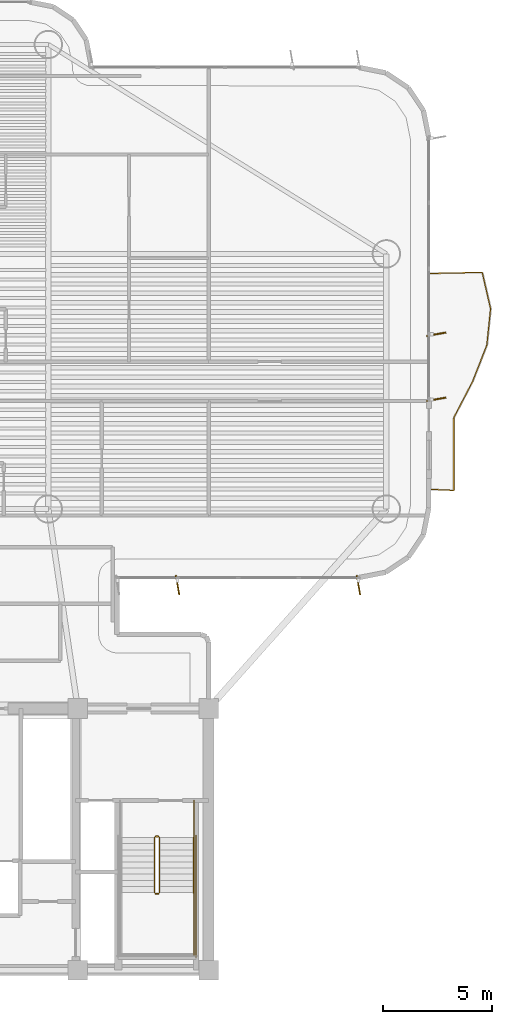
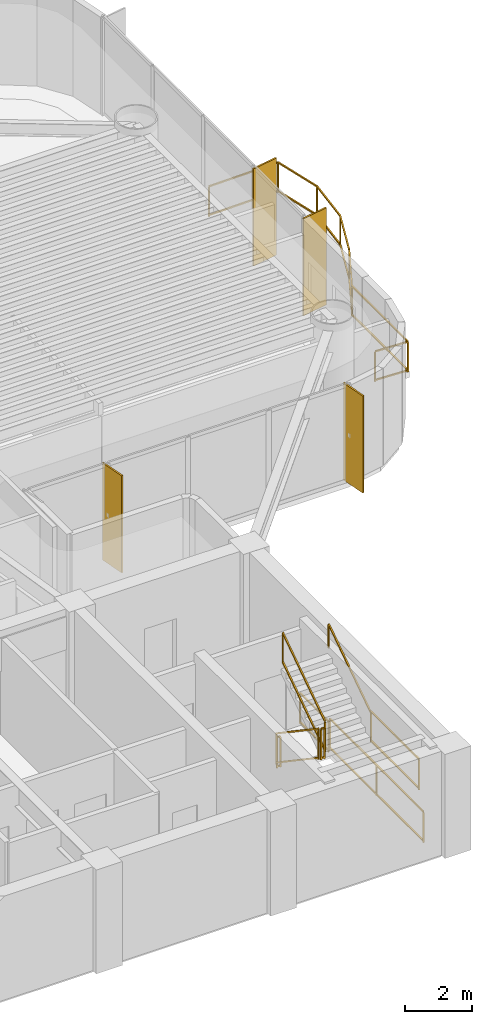
# One storey, part 16 of 17: 9 railings, 4 shading devices.
"""IFC4 building model written with IfcOpenShell, lengths in metres."""

import ifcopenshell
import ifcopenshell.guid

model = None  # the IFC model being written
_history = None  # IfcOwnerHistory: only IFC2X3 demands one
_inside = {}  # id of a spatial element -> (the spatial element, [elements in it])
_under = {}  # id of a project, library or spatial element -> (it, [spatial elements below it])
_declared = {}  # id of a project -> (the project, [libraries it declares])
_typed = {}  # id of a type object -> (the type object, [elements of that type])
_made_of = {}  # id of a material, layer set ... -> (it, [elements and type objects made of it])


def new_model(schema):
    """Start an empty IFC model of exactly this schema.

    Asked for "IFC4X3", IfcOpenShell would pick the latest addendum, in which some entities
    have other attributes; the version numbers below select the first issue.
    IFC2X3 requires an IfcOwnerHistory on every rooted entity: one is made here for all.
    """
    global model, _history
    if schema == "IFC4X3":
        model = ifcopenshell.file(schema_version=(4, 3, 0, 0))
    else:
        model = ifcopenshell.file(schema=schema)
    _inside.clear()
    _under.clear()
    _declared.clear()
    _typed.clear()
    _made_of.clear()
    _history = None
    if model.schema == "IFC2X3":
        org = make("IfcOrganization", Name="unknown")
        user = make(
            "IfcPersonAndOrganization",
            ThePerson=make("IfcPerson", FamilyName="unknown"),
            TheOrganization=org,
        )
        app = make(
            "IfcApplication",
            ApplicationDeveloper=org,
            Version="unknown",
            ApplicationFullName="unknown",
            ApplicationIdentifier="unknown",
        )
        _history = make(
            "IfcOwnerHistory",
            OwningUser=user,
            OwningApplication=app,
            ChangeAction="ADDED",
            CreationDate=0,
        )
    return model


def make(cls, **values):
    """One entity of the class cls with the attributes given. An attribute that is None is left unset."""
    return model.create_entity(
        cls, **{name: value for name, value in values.items() if value is not None}
    )


def rooted(cls, **values):
    """An entity with a GlobalId (a new one), such as an element, a storey or a relation."""
    return make(cls, GlobalId=ifcopenshell.guid.new(), OwnerHistory=_history, **values)


def si_unit(unit_type, name, prefix=None):
    """IfcSIUnit, for example si_unit("LENGTHUNIT", "METRE", prefix="MILLI")."""
    return make("IfcSIUnit", UnitType=unit_type, Prefix=prefix, Name=name)


def assignment(units):
    """IfcUnitAssignment: the units of a project."""
    return None if units is None else make("IfcUnitAssignment", Units=units)


def point(xyz):
    """IfcCartesianPoint."""
    return None if xyz is None else make("IfcCartesianPoint", Coordinates=xyz)


def direction(xyz):
    """IfcDirection."""
    return None if xyz is None else make("IfcDirection", DirectionRatios=xyz)


def frame(location, z_axis=None, x_axis=None):
    """IfcAxis2Placement3D, a coordinate frame: its origin and axes. An axis left out is left unset."""
    return make(
        "IfcAxis2Placement3D",
        Location=point(location),
        Axis=direction(z_axis),
        RefDirection=direction(x_axis),
    )


def frame_2d(location, x_axis=None):
    """IfcAxis2Placement2D, a coordinate frame in the plane: its origin and x axis."""
    return make(
        "IfcAxis2Placement2D", Location=point(location), RefDirection=direction(x_axis)
    )


def origin():
    """The frame at (0, 0, 0) with its axes left unset."""
    return frame((0.0, 0.0, 0.0))


def origin_2d():
    """The frame at (0, 0) in the plane with its x axis left unset."""
    return frame_2d((0.0, 0.0))


def place(relative_to, where):
    """IfcLocalPlacement: puts the frame where relative to a parent placement (None: the world)."""
    return make(
        "IfcLocalPlacement", PlacementRelTo=relative_to, RelativePlacement=where
    )


def context(
    kind, dimensions, precision=None, world=None, true_north=None, identifier=None
):
    """IfcGeometricRepresentationContext, for example the 3D "Model" context."""
    return make(
        "IfcGeometricRepresentationContext",
        ContextIdentifier=identifier,
        ContextType=kind,
        CoordinateSpaceDimension=dimensions,
        Precision=precision,
        WorldCoordinateSystem=world,
        TrueNorth=true_north,
    )


def subcontext(parent, identifier, kind, view, scale=None):
    """IfcGeometricRepresentationSubContext, for example "Body" below "Model"."""
    return make(
        "IfcGeometricRepresentationSubContext",
        ContextIdentifier=identifier,
        ContextType=kind,
        ParentContext=parent,
        TargetScale=scale,
        TargetView=view,
    )


def project(units=None, contexts=None):
    """IfcProject with its units and contexts."""
    return rooted(
        "IfcProject",
        Name="project",
        RepresentationContexts=contexts,
        UnitsInContext=assignment(units),
    )


def spatial(cls, under=None, at=None, **own):
    """A site, building, storey or space (cls), placed at a placement, below another one or the project."""
    s = rooted(cls, ObjectPlacement=at, **own)
    if under is not None:
        _under.setdefault(under.id(), (under, []))[1].append(s)
    return s


def profile(cls, at=None, kind="AREA", **sizes):
    """A parametric profile (cls). Its sizes go by their IFC names, for example OverallWidth=200.0."""
    return make(cls, ProfileType=kind, Position=at, **sizes)


def rectangle(**sizes):
    """IfcRectangleProfileDef."""
    return profile("IfcRectangleProfileDef", **sizes)


def extrude(swept, where, along, depth):
    """IfcExtrudedAreaSolid: the profile swept, set in the frame where, extruded along a direction by depth."""
    return make(
        "IfcExtrudedAreaSolid",
        SweptArea=swept,
        Position=where,
        ExtrudedDirection=direction(along),
        Depth=depth,
    )


def shape(context_of_items, identifier, shape_type, items):
    """IfcShapeRepresentation: the items that make up one representation, for example the "Body"."""
    return make(
        "IfcShapeRepresentation",
        ContextOfItems=context_of_items,
        RepresentationIdentifier=identifier,
        RepresentationType=shape_type,
        Items=items,
    )


def source(mapping_origin, context_of_items, identifier, shape_type, items):
    """IfcRepresentationMap: a shape defined once, which mapped items show again and again."""
    return make(
        "IfcRepresentationMap",
        MappingOrigin=mapping_origin,
        MappedRepresentation=shape(context_of_items, identifier, shape_type, items),
    )


def transform(
    local_origin,
    x_axis=None,
    y_axis=None,
    z_axis=None,
    scale=None,
    scale2=None,
    scale3=None,
    uniform=True,
):
    """IfcCartesianTransformationOperator3D, or its non-uniform kind. x_axis, y_axis, z_axis: its Axis1, 2, 3."""
    if uniform:
        return make(
            "IfcCartesianTransformationOperator3D",
            Axis1=direction(x_axis),
            Axis2=direction(y_axis),
            LocalOrigin=point(local_origin),
            Scale=scale,
            Axis3=direction(z_axis),
        )
    return make(
        "IfcCartesianTransformationOperator3DnonUniform",
        Axis1=direction(x_axis),
        Axis2=direction(y_axis),
        LocalOrigin=point(local_origin),
        Scale=scale,
        Axis3=direction(z_axis),
        Scale2=scale2,
        Scale3=scale3,
    )


def mapped(mapping_source, mapping_target):
    """IfcMappedItem: shows the shape of a source again, moved by a transform."""
    return make(
        "IfcMappedItem", MappingSource=mapping_source, MappingTarget=mapping_target
    )


def material(Name=None, Category=None):
    """IfcMaterial."""
    return make("IfcMaterial", Name=Name, Category=Category)


def layer(
    of_material, thickness, ventilated=None, Name=None, Category=None, Priority=None
):
    """IfcMaterialLayer: one layer of a wall or slab, of a material (None: an air gap)."""
    return make(
        "IfcMaterialLayer",
        Material=of_material,
        LayerThickness=thickness,
        IsVentilated=ventilated,
        Name=Name,
        Category=Category,
        Priority=Priority,
    )


def layer_set(layers, Name=None):
    """IfcMaterialLayerSet."""
    return make("IfcMaterialLayerSet", MaterialLayers=layers, LayerSetName=Name)


def material_profile(
    of_material, cross_section, Name=None, Category=None, Priority=None
):
    """IfcMaterialProfile: a cross section and its material."""
    return make(
        "IfcMaterialProfile",
        Name=Name,
        Material=of_material,
        Profile=cross_section,
        Priority=Priority,
        Category=Category,
    )


def profile_set(profiles, Name=None, composite=None):
    """IfcMaterialProfileSet."""
    return make(
        "IfcMaterialProfileSet",
        Name=Name,
        MaterialProfiles=profiles,
        CompositeProfile=composite,
    )


def made_of(thing, what):
    """Note that an element or type object is made of a material, layer set ...; save() writes the relation."""
    if what is not None:
        _made_of.setdefault(what.id(), (what, []))[1].append(thing)
    return thing


def type_object(cls, material=None, **own):
    """A type object (cls), such as IfcWallType, which elements share."""
    return made_of(rooted(cls, **own), material)


def element(
    cls,
    number,
    at=None,
    inside=None,
    cuts=None,
    type_object=None,
    material=None,
    context=None,
    identifier="Body",
    shape_type=None,
    held_by="IfcProductDefinitionShape",
    body=None,
    shapes=None,
    **own,
):
    """One element of the class cls, such as IfcWall. Its Tag is "e" and its number.

    at: its placement. inside: the storey or other place that contains it. cuts: it is an
    opening in that element (IfcRelVoidsElement). A single representation is given by context,
    identifier, shape_type and body (its items); several are given by shapes. held_by: the class
    of the entity that holds the representations. save() writes the other relations.
    """
    e = rooted(cls, Tag="e%d" % number, ObjectPlacement=at, **own)
    if body is not None:
        shapes = [shape(context, identifier, shape_type, body)]
    if shapes is not None:
        e.Representation = make(held_by, Representations=shapes)
    if inside is not None:
        _inside.setdefault(inside.id(), (inside, []))[1].append(e)
    if cuts is not None:
        rooted(
            "IfcRelVoidsElement", RelatingBuildingElement=cuts, RelatedOpeningElement=e
        )
    if type_object is not None:
        _typed.setdefault(type_object.id(), (type_object, []))[1].append(e)
    return made_of(e, material)


def aggregate(whole, parts):
    """IfcRelAggregates: a whole, such as a stair, and the parts it consists of."""
    return rooted("IfcRelAggregates", RelatingObject=whole, RelatedObjects=parts)


def save(model, path):
    """Write the relations noted so far, then the file.

    IfcRelAggregates (storeys below a building ...), IfcRelContainedInSpatialStructure (elements
    in a storey), IfcRelDefinesByType, IfcRelAssociatesMaterial and IfcRelDeclares: one each for
    every whole, place, type object, material and project.
    """
    for whole, parts in _under.values():
        aggregate(whole, parts)
    for where, things in _inside.values():
        rooted(
            "IfcRelContainedInSpatialStructure",
            RelatedElements=things,
            RelatingStructure=where,
        )
    for kind, things in _typed.values():
        rooted("IfcRelDefinesByType", RelatedObjects=things, RelatingType=kind)
    for what, things in _made_of.values():
        rooted("IfcRelAssociatesMaterial", RelatedObjects=things, RelatingMaterial=what)
    for by, libraries in _declared.values():
        rooted("IfcRelDeclares", RelatingContext=by, RelatedDefinitions=libraries)
    model.write(path)


model = new_model("IFC4")

# Units and contexts
model_context = context("Model", 3, precision=1e-05, world=origin(), true_north=direction((0.0, 1.0)))
body_context = subcontext(model_context, "Body", "Model", "MODEL_VIEW")
ifc_project = project(units=[si_unit("LENGTHUNIT", "METRE"), si_unit("AREAUNIT", "SQUARE_METRE"), si_unit("VOLUMEUNIT", "CUBIC_METRE"), si_unit("PLANEANGLEUNIT", "RADIAN"), si_unit("MASSUNIT", "GRAM", prefix="KILO")], contexts=[model_context])

# Site, building, storey
site_placement = place(None, origin())
site = spatial("IfcSite", under=ifc_project, at=site_placement, CompositionType="ELEMENT")
building_placement = place(site_placement, origin())
building = spatial("IfcBuilding", under=site, at=building_placement, Name="Brelvock Crest Care Tower", CompositionType="ELEMENT")
storey_placement = place(building_placement, frame((0.0, 0.0, 97.3798828125)))
storey = spatial("IfcBuildingStorey", under=building, at=storey_placement, Name="L24", CompositionType="ELEMENT", Elevation=97.3798828125)

# Railings
ifc_material_1 = material(Name="Dark Glass Double Glazed Low-E", Category="glass")
ifc_layer_1 = layer(ifc_material_1, 0.06005859375, Name="RL-BAL1")
ifc_layer_set_1 = layer_set([ifc_layer_1], Name="Dark Glass Double Glazed Low-E")
railing_type_1 = type_object("IfcRailingType", Name="RL-BAL1", PredefinedType="BALUSTRADE", material=ifc_layer_set_1)
railing_1_placement = place(storey_placement, frame((58.139892578125, 28.050048828125, 0.004150390625)))
element("IfcRailing", 1, at=railing_1_placement, inside=storey, type_object=railing_type_1, Name="L24 Safety Balustrade WB-E", PredefinedType="BALUSTRADE", context=body_context, shape_type="SweptSolid", body=[
    extrude(rectangle(XDim=0.048095703125, YDim=0.048095703125, at=origin_2d()), frame((0.001953125, 0.0, 1.09619140625), z_axis=(0.998966710972, -0.045447886318, 0.0), x_axis=(0.045447886318, 0.998966710972, 0.0)), (0.0, 0.0, 1.0), 1.09716796875),
    extrude(rectangle(XDim=0.048095703125, YDim=0.048095703125, at=origin_2d()), frame((0.001953125, 0.0, 0.054931640625), z_axis=(0.998966710972, -0.045447886318, 0.0), x_axis=(0.045447886318, 0.998966710972, 0.0)), (0.0, 0.0, 1.0), 1.09716796875),
    extrude(rectangle(XDim=0.048095703125, YDim=0.048095703125, at=origin_2d()), frame((1.10009765625, -0.048095703125, 1.09619140625), z_axis=(0.00014648795, 0.999999989271, 0.0), x_axis=(-0.999999989271, 0.00014648795, 0.0)), (0.0, 0.0, 1.0), 3.329345703125),
    extrude(rectangle(XDim=0.048095703125, YDim=0.048095703125, at=origin_2d()), frame((1.10009765625, -0.048095703125, 0.054931640625), z_axis=(0.00014648795, 0.999999989271, 0.0), x_axis=(-0.999999989271, 0.00014648795, 0.0)), (0.0, 0.0, 1.0), 3.329345703125),
    extrude(rectangle(XDim=0.048095703125, YDim=0.048095703125, at=origin_2d()), frame((1.1015625, 3.284912109375, 1.09619140625), z_axis=(0.46114401417, 0.887325305733, 0.0), x_axis=(-0.887325305733, 0.46114401417, 0.0)), (0.0, 0.0, 1.0), 1.87451171875),
    extrude(rectangle(XDim=0.048095703125, YDim=0.048095703125, at=origin_2d()), frame((1.1015625, 3.284912109375, 0.054931640625), z_axis=(0.46114401417, 0.887325305733, 0.0), x_axis=(-0.887325305733, 0.46114401417, 0.0)), (0.0, 0.0, 1.0), 1.87451171875),
    extrude(rectangle(XDim=0.048095703125, YDim=0.048095703125, at=origin_2d()), frame((1.967529296875, 4.951904296875, 1.09619140625), z_axis=(0.364466206994, 0.93121661495, 0.0), x_axis=(-0.93121661495, 0.364466206994, 0.0)), (0.0, 0.0, 1.0), 1.785888671875),
    extrude(rectangle(XDim=0.048095703125, YDim=0.048095703125, at=origin_2d()), frame((1.967529296875, 4.951904296875, 0.054931640625), z_axis=(0.364466206994, 0.93121661495, 0.0), x_axis=(-0.93121661495, 0.364466206994, 0.0)), (0.0, 0.0, 1.0), 1.785888671875),
    extrude(rectangle(XDim=0.048095703125, YDim=0.048095703125, at=origin_2d()), frame((2.619384765625, 6.61865234375, 1.09619140625), z_axis=(0.101148651987, 0.994871323439, 0.0), x_axis=(-0.994871323439, 0.101148651987, 0.0)), (0.0, 0.0, 1.0), 1.671142578125),
    extrude(rectangle(XDim=0.048095703125, YDim=0.048095703125, at=origin_2d()), frame((2.619384765625, 6.61865234375, 0.054931640625), z_axis=(0.101148651987, 0.994871323439, 0.0), x_axis=(-0.994871323439, 0.101148651987, 0.0)), (0.0, 0.0, 1.0), 1.671142578125),
    extrude(rectangle(XDim=0.048095703125, YDim=0.048095703125, at=origin_2d()), frame((2.7880859375, 8.28515625, 1.09619140625), z_axis=(-0.22439035679, 0.974499342114, 0.0), x_axis=(-0.974499342114, -0.22439035679, 0.0)), (0.0, 0.0, 1.0), 1.706298828125),
    extrude(rectangle(XDim=0.048095703125, YDim=0.048095703125, at=origin_2d()), frame((2.7880859375, 8.28515625, 0.054931640625), z_axis=(-0.22439035679, 0.974499342114, 0.0), x_axis=(-0.974499342114, -0.22439035679, 0.0)), (0.0, 0.0, 1.0), 1.706298828125),
    extrude(rectangle(XDim=0.048095703125, YDim=0.048095703125, at=origin_2d()), frame((2.40283203125, 9.949951171875, 1.09619140625), z_axis=(-0.999783496855, -0.020807676838, 0.0), x_axis=(0.020807676838, -0.999783496855, 0.0)), (0.0, 0.0, 1.0), 2.4013671875),
    extrude(rectangle(XDim=0.048095703125, YDim=0.048095703125, at=origin_2d()), frame((2.40283203125, 9.949951171875, 0.054931640625), z_axis=(-0.999783496855, -0.020807676838, 0.0), x_axis=(0.020807676838, -0.999783496855, 0.0)), (0.0, 0.0, 1.0), 2.4013671875),
    extrude(rectangle(XDim=0.0419921875, YDim=0.0419921875, at=origin_2d()), origin(), (0.0, 0.0, 1.0), 1.070068359375),
    extrude(rectangle(XDim=0.0419921875, YDim=0.0419921875, at=origin_2d()), frame((1.10009765625, -0.050048828125, 0.0)), (0.0, 0.0, 1.0), 1.070068359375),
    extrude(rectangle(XDim=0.0419921875, YDim=0.0419921875, at=origin_2d()), frame((1.1005859375, 3.283203125, 0.0)), (0.0, 0.0, 1.0), 1.070068359375),
    extrude(rectangle(XDim=0.0419921875, YDim=0.0419921875, at=origin_2d()), frame((1.966796875, 4.949951171875, 0.0)), (0.0, 0.0, 1.0), 1.070068359375),
    extrude(rectangle(XDim=0.0419921875, YDim=0.0419921875, at=origin_2d()), frame((2.619140625, 6.61669921875, 0.0)), (0.0, 0.0, 1.0), 1.070068359375),
    extrude(rectangle(XDim=0.0419921875, YDim=0.0419921875, at=origin_2d()), frame((2.78857421875, 8.283203125, 0.0)), (0.0, 0.0, 1.0), 1.070068359375),
    extrude(rectangle(XDim=0.0419921875, YDim=0.0419921875, at=origin_2d()), frame((2.40478515625, 9.949951171875, 0.0)), (0.0, 0.0, 1.0), 1.070068359375),
    extrude(rectangle(XDim=0.0419921875, YDim=0.0419921875, at=origin_2d()), frame((0.0, 9.89990234375, 0.0)), (0.0, 0.0, 1.0), 1.070068359375),
])
ifc_material_2 = material(Name="Steel Grade 350", Category="steel")
ifc_layer_2 = layer(ifc_material_2, 0.050048828125, Name="RL-STG1")
ifc_layer_set_2 = layer_set([ifc_layer_2], Name="Steel Grade 350")
railing_type_2 = type_object("IfcRailingType", Name="RL-STG1", PredefinedType="GUARDRAIL", material=ifc_layer_set_2)
railing_2_placement = place(storey_placement, frame((45.52001953125, 12.080078125, 0.189208984375)))
element("IfcRailing", 2, at=railing_2_placement, inside=storey, type_object=railing_type_2, Name="L24 ST-2 stair guard 1", PredefinedType="GUARDRAIL", context=body_context, shape_type="SweptSolid", body=[
    extrude(rectangle(XDim=0.048095703125, YDim=0.048095703125, at=origin_2d()), frame((0.0, -0.001708984375, 1.116943359375), z_axis=(0.0, -0.828861706735, 0.559453546873), x_axis=(1.0, 0.0, 0.0)), (0.0, 0.0, 1.0), 3.036376953125),
    extrude(rectangle(XDim=0.048095703125, YDim=0.048095703125, at=origin_2d()), frame((0.0, -0.001708984375, 0.05615234375), z_axis=(0.0, -0.828861706735, 0.559453546873), x_axis=(1.0, 0.0, 0.0)), (0.0, 0.0, 1.0), 3.036376953125),
    extrude(rectangle(XDim=0.0419921875, YDim=0.0419921875, at=origin_2d()), origin(), (0.0, 0.0, 1.0), 1.08984375),
    extrude(rectangle(XDim=0.0419921875, YDim=0.0419921875, at=origin_2d()), frame((0.0, -2.52001953125, 1.700927734375)), (0.0, 0.0, 1.0), 1.08984375),
])
railing_3_placement = place(storey_placement, frame((45.570068359375, 9.510009765625, 1.89013671875)))
element("IfcRailing", 3, at=railing_3_placement, inside=storey, type_object=railing_type_2, Name="L24 ST-2 stair guard 2", PredefinedType="GUARDRAIL", context=body_context, shape_type="SweptSolid", body=[
    extrude(rectangle(XDim=0.048095703125, YDim=0.048095703125, at=origin_2d()), frame((0.001953125, 0.0, 1.11572265625), z_axis=(1.0, 0.0, 0.0), x_axis=(0.0, 1.0, 0.0)), (0.0, 0.0, 1.0), 0.115966796875),
    extrude(rectangle(XDim=0.048095703125, YDim=0.048095703125, at=origin_2d()), frame((0.001953125, 0.0, 0.054931640625), z_axis=(1.0, 0.0, 0.0), x_axis=(0.0, 1.0, 0.0)), (0.0, 0.0, 1.0), 0.115966796875),
    extrude(rectangle(XDim=0.0419921875, YDim=0.0419921875, at=origin_2d()), origin(), (0.0, 0.0, 1.0), 1.08984375),
    extrude(rectangle(XDim=0.0419921875, YDim=0.0419921875, at=origin_2d()), frame((0.119873046875, 0.0, 0.0)), (0.0, 0.0, 1.0), 1.08984375),
])
railing_4_placement = place(storey_placement, frame((47.320068359375, 9.56005859375, 1.89013671875)))
element("IfcRailing", 4, at=railing_4_placement, inside=storey, type_object=railing_type_2, Name="L24 ST-2 stair guard 4", PredefinedType="GUARDRAIL", context=body_context, shape_type="SweptSolid", body=[
    extrude(rectangle(XDim=0.048095703125, YDim=0.048095703125, at=origin_2d()), frame((0.0, -0.001953125, 1.11572265625), z_axis=(0.0, -1.0, 0.0), x_axis=(1.0, 0.0, 0.0)), (0.0, 0.0, 1.0), 2.856201171875),
    extrude(rectangle(XDim=0.048095703125, YDim=0.048095703125, at=origin_2d()), frame((0.0, -0.001953125, 0.054931640625), z_axis=(0.0, -1.0, 0.0), x_axis=(1.0, 0.0, 0.0)), (0.0, 0.0, 1.0), 2.856201171875),
    extrude(rectangle(XDim=0.0419921875, YDim=0.0419921875, at=origin_2d()), origin(), (0.0, 0.0, 1.0), 1.08984375),
    extrude(rectangle(XDim=0.0419921875, YDim=0.0419921875, at=origin_2d()), frame((0.0, -2.860107421875, 0.0)), (0.0, 0.0, 1.0), 1.08984375),
])
railing_5_placement = place(storey_placement, frame((45.739990234375, 9.56005859375, 2.0791015625)))
element("IfcRailing", 5, at=railing_5_placement, inside=storey, type_object=railing_type_2, Name="L24 ST-2 stair guard 6", PredefinedType="GUARDRAIL", context=body_context, shape_type="SweptSolid", body=[
    extrude(rectangle(XDim=0.048095703125, YDim=0.048095703125, at=origin_2d()), frame((0.0, 0.001708984375, 1.116943359375), z_axis=(0.0, 0.828861706735, 0.559453546873), x_axis=(-1.0, 0.0, 0.0)), (0.0, 0.0, 1.0), 3.036376953125),
    extrude(rectangle(XDim=0.048095703125, YDim=0.048095703125, at=origin_2d()), frame((0.0, 0.001708984375, 0.05615234375), z_axis=(0.0, 0.828861706735, 0.559453546873), x_axis=(-1.0, 0.0, 0.0)), (0.0, 0.0, 1.0), 3.036376953125),
    extrude(rectangle(XDim=0.0419921875, YDim=0.0419921875, at=origin_2d()), origin(), (0.0, 0.0, 1.0), 1.08984375),
    extrude(rectangle(XDim=0.0419921875, YDim=0.0419921875, at=origin_2d()), frame((0.0, 2.52001953125, 1.700927734375)), (0.0, 0.0, 1.0), 1.08984375),
])
railing_6_placement = place(storey_placement, frame((45.570068359375, 12.1298828125, 0.0)))
element("IfcRailing", 6, at=railing_6_placement, inside=storey, type_object=railing_type_2, Name="L24 ST-2 stair guard 7", PredefinedType="GUARDRAIL", context=body_context, shape_type="SweptSolid", body=[
    extrude(rectangle(XDim=0.048095703125, YDim=0.048095703125, at=origin_2d()), frame((0.001953125, 0.0, 1.11572265625), z_axis=(1.0, 0.0, 0.0), x_axis=(0.0, 1.0, 0.0)), (0.0, 0.0, 1.0), 0.115966796875),
    extrude(rectangle(XDim=0.048095703125, YDim=0.048095703125, at=origin_2d()), frame((0.001953125, 0.0, 0.054931640625), z_axis=(1.0, 0.0, 0.0), x_axis=(0.0, 1.0, 0.0)), (0.0, 0.0, 1.0), 0.115966796875),
    extrude(rectangle(XDim=0.0419921875, YDim=0.0419921875, at=origin_2d()), origin(), (0.0, 0.0, 1.0), 1.08984375),
    extrude(rectangle(XDim=0.0419921875, YDim=0.0419921875, at=origin_2d()), frame((0.119873046875, 0.0, 0.0)), (0.0, 0.0, 1.0), 1.08984375),
])
railing_7_placement = place(storey_placement, frame((47.320068359375, 13.780029296875, 0.0)))
element("IfcRailing", 7, at=railing_7_placement, inside=storey, type_object=railing_type_2, Name="L24 ST-2 stair guard 9", PredefinedType="GUARDRAIL", context=body_context, shape_type="SweptSolid", body=[
    extrude(rectangle(XDim=0.048095703125, YDim=0.048095703125, at=origin_2d()), frame((0.0, -0.001953125, 1.11572265625), z_axis=(0.0, -1.0, 0.0), x_axis=(1.0, 0.0, 0.0)), (0.0, 0.0, 1.0), 1.696044921875),
    extrude(rectangle(XDim=0.048095703125, YDim=0.048095703125, at=origin_2d()), frame((0.0, -0.001953125, 0.054931640625), z_axis=(0.0, -1.0, 0.0), x_axis=(1.0, 0.0, 0.0)), (0.0, 0.0, 1.0), 1.696044921875),
    extrude(rectangle(XDim=0.0419921875, YDim=0.0419921875, at=origin_2d()), origin(), (0.0, 0.0, 1.0), 1.08984375),
    extrude(rectangle(XDim=0.0419921875, YDim=0.0419921875, at=origin_2d()), frame((0.0, -1.699951171875, 0.0)), (0.0, 0.0, 1.0), 1.08984375),
])
railing_8_placement = place(storey_placement, frame((47.419921875, 12.179931640625, 0.0)))
element("IfcRailing", 8, at=railing_8_placement, inside=storey, type_object=railing_type_2, Name="L24 ST-2 stair guard 11", PredefinedType="GUARDRAIL", context=body_context, shape_type="SweptSolid", body=[
    extrude(rectangle(XDim=0.048095703125, YDim=0.048095703125, at=origin_2d()), frame((0.0, -0.001953125, 1.11572265625), z_axis=(0.0, -1.0, 0.0), x_axis=(1.0, 0.0, 0.0)), (0.0, 0.0, 1.0), 5.575927734375),
    extrude(rectangle(XDim=0.048095703125, YDim=0.048095703125, at=origin_2d()), frame((0.0, -0.001953125, 0.054931640625), z_axis=(0.0, -1.0, 0.0), x_axis=(1.0, 0.0, 0.0)), (0.0, 0.0, 1.0), 5.575927734375),
    extrude(rectangle(XDim=0.0419921875, YDim=0.0419921875, at=origin_2d()), origin(), (0.0, 0.0, 1.0), 1.08984375),
    extrude(rectangle(XDim=0.0419921875, YDim=0.0419921875, at=origin_2d()), frame((0.0, -2.7900390625, 0.0)), (0.0, 0.0, 1.0), 1.08984375),
    extrude(rectangle(XDim=0.0419921875, YDim=0.0419921875, at=origin_2d()), frame((0.0, -5.579833984375, 0.0)), (0.0, 0.0, 1.0), 1.08984375),
])
ifc_layer_3 = layer(ifc_material_2, 0.048095703125, Name="RL-STH1")
ifc_layer_set_3 = layer_set([ifc_layer_3], Name="Steel Grade 350")
railing_type_3 = type_object("IfcRailingType", Name="RL-STH1", PredefinedType="HANDRAIL", material=ifc_layer_set_3)
railing_9_placement = place(storey_placement, frame((47.320068359375, 9.56005859375, 2.0791015625)))
element("IfcRailing", 9, at=railing_9_placement, inside=storey, type_object=railing_type_3, Name="L24 ST-2 stair handrail 2", PredefinedType="HANDRAIL", context=body_context, shape_type="SweptSolid", body=[
    extrude(rectangle(XDim=0.048095703125, YDim=0.048095703125, at=origin_2d()), frame((0.0, 0.001708984375, 0.876953125), z_axis=(0.0, 0.828861706735, 0.559453546873), x_axis=(-1.0, 0.0, 0.0)), (0.0, 0.0, 1.0), 3.036376953125),
    extrude(rectangle(XDim=0.0419921875, YDim=0.0419921875, at=origin_2d()), origin(), (0.0, 0.0, 1.0), 0.849853515625),
    extrude(rectangle(XDim=0.0419921875, YDim=0.0419921875, at=origin_2d()), frame((0.0, 2.52001953125, 1.700927734375)), (0.0, 0.0, 1.0), 0.849853515625),
])

# Shading devices
ifc_material_3 = material(Name="Aluminium 6063-T6", Category="aluminium")
ifc_material_profile = material_profile(ifc_material_3, rectangle(XDim=0.054931640625, YDim=0.89990234375, at=origin_2d()), Name="FIN55x900")
ifc_profile_set = profile_set([ifc_material_profile], Name="Aluminium 6063-T6")
shading_device_type = type_object("IfcShadingDeviceType", Name="SHD-FIN1", PredefinedType="USERDEFINED", material=ifc_profile_set)
shared_shape = source(origin(), body_context, "Body", "SweptSolid", [
    extrude(rectangle(XDim=0.054931640625, YDim=0.89990234375, at=origin_2d()), origin(), (0.0, 0.0, 1.0), 3.530029296875),
])
for number, where, z_axis, x_axis, name in (
    (10, (58.43994140625, 35.16259765625, 0.0), (0.0, 0.0, 1.0), (0.173648177667, -0.984807753012, 0.0), "L24 Vertical Sunshade Fin E39A-04"),
    (11, (58.43994140625, 32.179931640625, 0.0), (0.0, 0.0, 1.0), (0.173648177667, -0.984807753012, 0.0), "L24 Vertical Sunshade Fin E39A-05"),
    (12, (54.8701171875, 23.659912109375, 0.0), (0.0, 0.0, 1.0), (-0.984807753012, -0.173648177667, 0.0), "L24 Vertical Sunshade Fin E44-01"),
    (13, (46.574951171875, 23.659912109375, 0.0), (0.0, 0.0, 1.0), (-0.984807753012, -0.173648177667, 0.0), "L24 Vertical Sunshade Fin E44-04"),
):
    element("IfcShadingDevice", number, at=place(storey_placement, frame(where, z_axis=z_axis, x_axis=x_axis)), inside=storey, type_object=shading_device_type, Name=name, ObjectType="FIN", PredefinedType="USERDEFINED", context=body_context, shape_type="MappedRepresentation", body=[
        mapped(shared_shape, transform((0.0, 0.0, 0.0), x_axis=(1.0, 0.0, 0.0), y_axis=(0.0, 1.0, 0.0), z_axis=(0.0, 0.0, 1.0), scale=1.0)),
    ])

save(model, "model.ifc")
